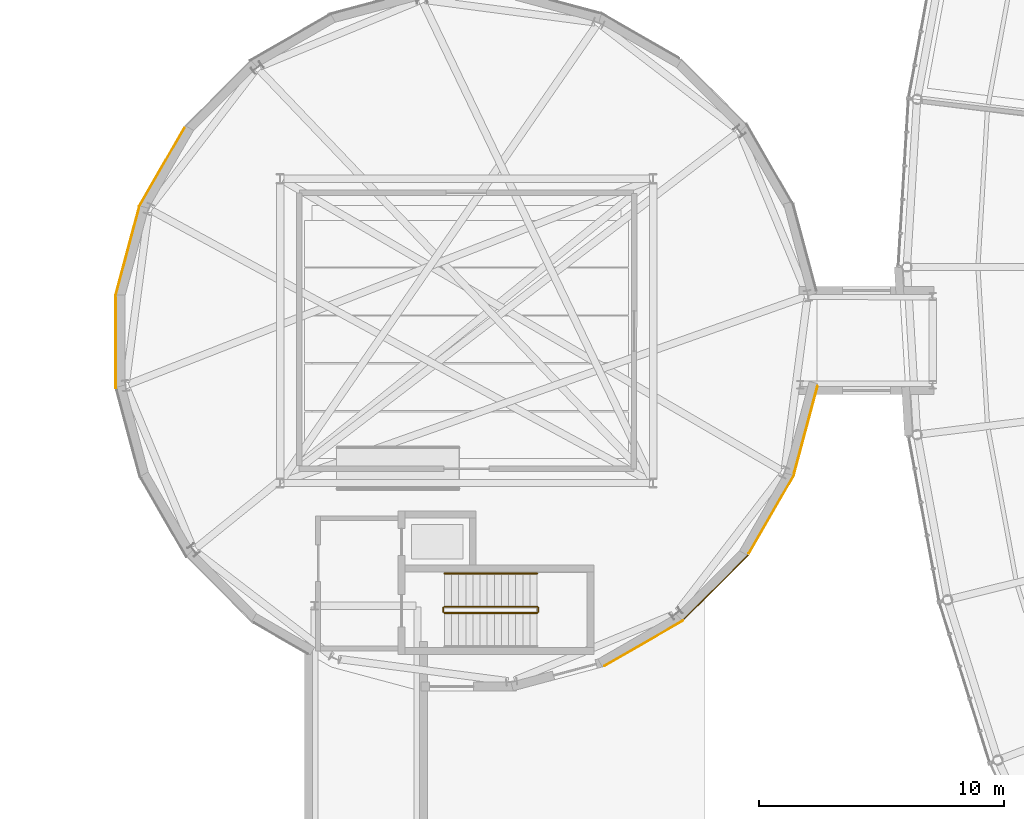
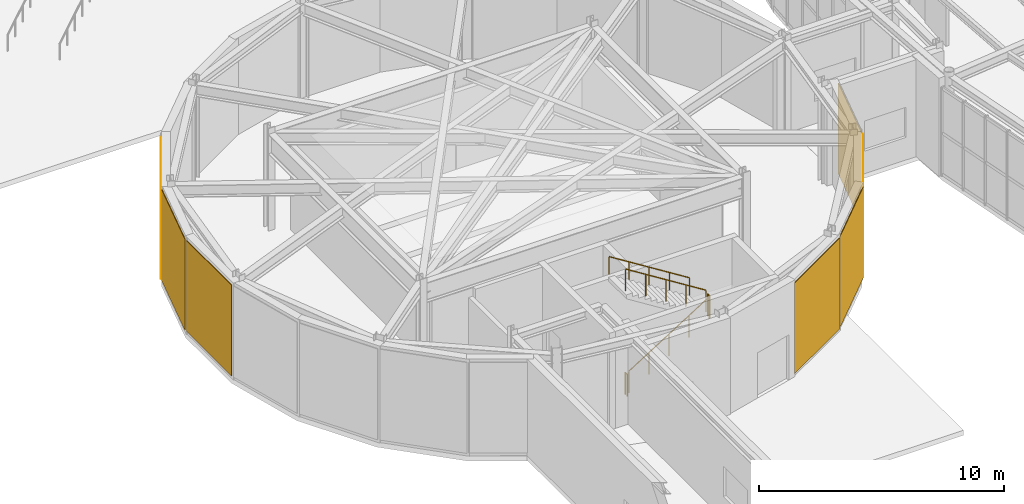
# One storey, part 84 of 97: 7 coverings, 5 railings.
"""IFC4 building model written with IfcOpenShell, lengths in metres."""

import ifcopenshell
import ifcopenshell.guid

model = None  # the IFC model being written
_history = None  # IfcOwnerHistory: only IFC2X3 demands one
_inside = {}  # id of a spatial element -> (the spatial element, [elements in it])
_under = {}  # id of a project, library or spatial element -> (it, [spatial elements below it])
_declared = {}  # id of a project -> (the project, [libraries it declares])
_typed = {}  # id of a type object -> (the type object, [elements of that type])
_made_of = {}  # id of a material, layer set ... -> (it, [elements and type objects made of it])


def new_model(schema):
    """Start an empty IFC model of exactly this schema.

    Asked for "IFC4X3", IfcOpenShell would pick the latest addendum, in which some entities
    have other attributes; the version numbers below select the first issue.
    IFC2X3 requires an IfcOwnerHistory on every rooted entity: one is made here for all.
    """
    global model, _history
    if schema == "IFC4X3":
        model = ifcopenshell.file(schema_version=(4, 3, 0, 0))
    else:
        model = ifcopenshell.file(schema=schema)
    _inside.clear()
    _under.clear()
    _declared.clear()
    _typed.clear()
    _made_of.clear()
    _history = None
    if model.schema == "IFC2X3":
        org = make("IfcOrganization", Name="unknown")
        user = make(
            "IfcPersonAndOrganization",
            ThePerson=make("IfcPerson", FamilyName="unknown"),
            TheOrganization=org,
        )
        app = make(
            "IfcApplication",
            ApplicationDeveloper=org,
            Version="unknown",
            ApplicationFullName="unknown",
            ApplicationIdentifier="unknown",
        )
        _history = make(
            "IfcOwnerHistory",
            OwningUser=user,
            OwningApplication=app,
            ChangeAction="ADDED",
            CreationDate=0,
        )
    return model


def make(cls, **values):
    """One entity of the class cls with the attributes given. An attribute that is None is left unset."""
    return model.create_entity(
        cls, **{name: value for name, value in values.items() if value is not None}
    )


def rooted(cls, **values):
    """An entity with a GlobalId (a new one), such as an element, a storey or a relation."""
    return make(cls, GlobalId=ifcopenshell.guid.new(), OwnerHistory=_history, **values)


def si_unit(unit_type, name, prefix=None):
    """IfcSIUnit, for example si_unit("LENGTHUNIT", "METRE", prefix="MILLI")."""
    return make("IfcSIUnit", UnitType=unit_type, Prefix=prefix, Name=name)


def assignment(units):
    """IfcUnitAssignment: the units of a project."""
    return None if units is None else make("IfcUnitAssignment", Units=units)


def point(xyz):
    """IfcCartesianPoint."""
    return None if xyz is None else make("IfcCartesianPoint", Coordinates=xyz)


def direction(xyz):
    """IfcDirection."""
    return None if xyz is None else make("IfcDirection", DirectionRatios=xyz)


def frame(location, z_axis=None, x_axis=None):
    """IfcAxis2Placement3D, a coordinate frame: its origin and axes. An axis left out is left unset."""
    return make(
        "IfcAxis2Placement3D",
        Location=point(location),
        Axis=direction(z_axis),
        RefDirection=direction(x_axis),
    )


def frame_2d(location, x_axis=None):
    """IfcAxis2Placement2D, a coordinate frame in the plane: its origin and x axis."""
    return make(
        "IfcAxis2Placement2D", Location=point(location), RefDirection=direction(x_axis)
    )


def origin():
    """The frame at (0, 0, 0) with its axes left unset."""
    return frame((0.0, 0.0, 0.0))


def origin_2d():
    """The frame at (0, 0) in the plane with its x axis left unset."""
    return frame_2d((0.0, 0.0))


def place(relative_to, where):
    """IfcLocalPlacement: puts the frame where relative to a parent placement (None: the world)."""
    return make(
        "IfcLocalPlacement", PlacementRelTo=relative_to, RelativePlacement=where
    )


def context(
    kind, dimensions, precision=None, world=None, true_north=None, identifier=None
):
    """IfcGeometricRepresentationContext, for example the 3D "Model" context."""
    return make(
        "IfcGeometricRepresentationContext",
        ContextIdentifier=identifier,
        ContextType=kind,
        CoordinateSpaceDimension=dimensions,
        Precision=precision,
        WorldCoordinateSystem=world,
        TrueNorth=true_north,
    )


def subcontext(parent, identifier, kind, view, scale=None):
    """IfcGeometricRepresentationSubContext, for example "Body" below "Model"."""
    return make(
        "IfcGeometricRepresentationSubContext",
        ContextIdentifier=identifier,
        ContextType=kind,
        ParentContext=parent,
        TargetScale=scale,
        TargetView=view,
    )


def project(units=None, contexts=None):
    """IfcProject with its units and contexts."""
    return rooted(
        "IfcProject",
        Name="project",
        RepresentationContexts=contexts,
        UnitsInContext=assignment(units),
    )


def spatial(cls, under=None, at=None, **own):
    """A site, building, storey or space (cls), placed at a placement, below another one or the project."""
    s = rooted(cls, ObjectPlacement=at, **own)
    if under is not None:
        _under.setdefault(under.id(), (under, []))[1].append(s)
    return s


def profile(cls, at=None, kind="AREA", **sizes):
    """A parametric profile (cls). Its sizes go by their IFC names, for example OverallWidth=200.0."""
    return make(cls, ProfileType=kind, Position=at, **sizes)


def rectangle(**sizes):
    """IfcRectangleProfileDef."""
    return profile("IfcRectangleProfileDef", **sizes)


def circle(**sizes):
    """IfcCircleProfileDef."""
    return profile("IfcCircleProfileDef", **sizes)


def extrude(swept, where, along, depth):
    """IfcExtrudedAreaSolid: the profile swept, set in the frame where, extruded along a direction by depth."""
    return make(
        "IfcExtrudedAreaSolid",
        SweptArea=swept,
        Position=where,
        ExtrudedDirection=direction(along),
        Depth=depth,
    )


def shape(context_of_items, identifier, shape_type, items):
    """IfcShapeRepresentation: the items that make up one representation, for example the "Body"."""
    return make(
        "IfcShapeRepresentation",
        ContextOfItems=context_of_items,
        RepresentationIdentifier=identifier,
        RepresentationType=shape_type,
        Items=items,
    )


def material(Name=None, Category=None):
    """IfcMaterial."""
    return make("IfcMaterial", Name=Name, Category=Category)


def layer(
    of_material, thickness, ventilated=None, Name=None, Category=None, Priority=None
):
    """IfcMaterialLayer: one layer of a wall or slab, of a material (None: an air gap)."""
    return make(
        "IfcMaterialLayer",
        Material=of_material,
        LayerThickness=thickness,
        IsVentilated=ventilated,
        Name=Name,
        Category=Category,
        Priority=Priority,
    )


def layer_set(layers, Name=None):
    """IfcMaterialLayerSet."""
    return make("IfcMaterialLayerSet", MaterialLayers=layers, LayerSetName=Name)


def made_of(thing, what):
    """Note that an element or type object is made of a material, layer set ...; save() writes the relation."""
    if what is not None:
        _made_of.setdefault(what.id(), (what, []))[1].append(thing)
    return thing


def type_object(cls, material=None, **own):
    """A type object (cls), such as IfcWallType, which elements share."""
    return made_of(rooted(cls, **own), material)


def element(
    cls,
    number,
    at=None,
    inside=None,
    cuts=None,
    type_object=None,
    material=None,
    context=None,
    identifier="Body",
    shape_type=None,
    held_by="IfcProductDefinitionShape",
    body=None,
    shapes=None,
    **own,
):
    """One element of the class cls, such as IfcWall. Its Tag is "e" and its number.

    at: its placement. inside: the storey or other place that contains it. cuts: it is an
    opening in that element (IfcRelVoidsElement). A single representation is given by context,
    identifier, shape_type and body (its items); several are given by shapes. held_by: the class
    of the entity that holds the representations. save() writes the other relations.
    """
    e = rooted(cls, Tag="e%d" % number, ObjectPlacement=at, **own)
    if body is not None:
        shapes = [shape(context, identifier, shape_type, body)]
    if shapes is not None:
        e.Representation = make(held_by, Representations=shapes)
    if inside is not None:
        _inside.setdefault(inside.id(), (inside, []))[1].append(e)
    if cuts is not None:
        rooted(
            "IfcRelVoidsElement", RelatingBuildingElement=cuts, RelatedOpeningElement=e
        )
    if type_object is not None:
        _typed.setdefault(type_object.id(), (type_object, []))[1].append(e)
    return made_of(e, material)


def aggregate(whole, parts):
    """IfcRelAggregates: a whole, such as a stair, and the parts it consists of."""
    return rooted("IfcRelAggregates", RelatingObject=whole, RelatedObjects=parts)


def save(model, path):
    """Write the relations noted so far, then the file.

    IfcRelAggregates (storeys below a building ...), IfcRelContainedInSpatialStructure (elements
    in a storey), IfcRelDefinesByType, IfcRelAssociatesMaterial and IfcRelDeclares: one each for
    every whole, place, type object, material and project.
    """
    for whole, parts in _under.values():
        aggregate(whole, parts)
    for where, things in _inside.values():
        rooted(
            "IfcRelContainedInSpatialStructure",
            RelatedElements=things,
            RelatingStructure=where,
        )
    for kind, things in _typed.values():
        rooted("IfcRelDefinesByType", RelatedObjects=things, RelatingType=kind)
    for what, things in _made_of.values():
        rooted("IfcRelAssociatesMaterial", RelatedObjects=things, RelatingMaterial=what)
    for by, libraries in _declared.values():
        rooted("IfcRelDeclares", RelatingContext=by, RelatedDefinitions=libraries)
    model.write(path)


model = new_model("IFC4")

# Units and contexts
model_context = context("Model", 3, precision=1e-05, world=origin(), true_north=direction((0.0, 1.0)))
body_context = subcontext(model_context, "Body", "Model", "MODEL_VIEW")
ifc_project = project(units=[si_unit("LENGTHUNIT", "METRE"), si_unit("AREAUNIT", "SQUARE_METRE"), si_unit("VOLUMEUNIT", "CUBIC_METRE"), si_unit("PLANEANGLEUNIT", "RADIAN"), si_unit("MASSUNIT", "GRAM", prefix="KILO")], contexts=[model_context])

# Site, building, storey
site_placement = place(None, origin())
site = spatial("IfcSite", under=ifc_project, at=site_placement, CompositionType="ELEMENT")
building_placement = place(site_placement, origin())
building = spatial("IfcBuilding", under=site, at=building_placement, Name="Varnklinge Art Gallery", CompositionType="ELEMENT")
storey_placement = place(building_placement, origin())
storey = spatial("IfcBuildingStorey", under=building, at=storey_placement, Name="L00", CompositionType="ELEMENT", Elevation=0.0)

# Coverings
ifc_material_1 = material(Name="Oxide Terracotta Panel", Category="masonry")
ifc_layer = layer(ifc_material_1, 0.034912109375)
ifc_layer_set = layer_set([ifc_layer], Name="Oxide Terracotta Panel")
covering_type = type_object("IfcCoveringType", Name="CLD-TER", PredefinedType="CLADDING", material=ifc_layer_set)
covering_1_placement = place(storey_placement, frame((35.627197265625, 48.375244140625, 0.14990234375), z_axis=(0.0, 0.0, 1.0), x_axis=(-0.258819045103, -0.965925826289, 0.0)))
element("IfcCovering", 1, at=covering_1_placement, inside=storey, type_object=covering_type, Name="L00 Oxide Terracotta Drum Cladding EW-V3-L00-01", PredefinedType="CLADDING", context=body_context, shape_type="SweptSolid", body=[
    extrude(rectangle(XDim=3.666748046875, YDim=0.034912109375, at=origin_2d()), origin(), (0.0, 0.0, 1.0), 4.52001953125),
])
covering_2_placement = place(storey_placement, frame((34.224365234375, 44.930908203125, 0.14990234375), z_axis=(0.0, 0.0, 1.0), x_axis=(-0.5, -0.866025403784, 0.0)))
element("IfcCovering", 2, at=covering_2_placement, inside=storey, type_object=covering_type, Name="L00 Oxide Terracotta Drum Cladding EW-V3-L00-02", PredefinedType="CLADDING", context=body_context, shape_type="SweptSolid", body=[
    extrude(rectangle(XDim=3.69189453125, YDim=0.034912109375, at=origin_2d()), origin(), (0.0, 0.0, 1.0), 4.52001953125),
])
covering_3_placement = place(storey_placement, frame((31.97119140625, 41.9560546875, 0.14990234375), z_axis=(0.0, 0.0, 1.0), x_axis=(-0.707106781187, -0.707106781187, 0.0)))
element("IfcCovering", 3, at=covering_3_placement, inside=storey, type_object=covering_type, Name="L00 Oxide Terracotta Drum Cladding EW-V3-L00-03", PredefinedType="CLADDING", context=body_context, shape_type="SweptSolid", body=[
    extrude(rectangle(XDim=3.691650390625, YDim=0.034912109375, at=origin_2d()), origin(), (0.0, 0.0, 1.0), 4.52001953125),
])
for number, where, z_axis, x_axis, name in (
    (4, (29.025146484375, 39.665771484375, 0.14990234375), (0.0, 0.0, 1.0), (-0.866025403784, -0.5, 0.0), "L00 Oxide Terracotta Drum Cladding EW-V3-L00-04"),
    (5, (7.505615234375, 51.909912109375, 0.14990234375), (0.0, 0.0, 1.0), (0.0, 1.0, 0.0), "L00 Oxide Terracotta Drum Cladding EW-V3-L00-11"),
):
    element("IfcCovering", number, at=place(storey_placement, frame(where, z_axis=z_axis, x_axis=x_axis)), inside=storey, type_object=covering_type, Name=name, PredefinedType="CLADDING", context=body_context, shape_type="SweptSolid", body=[
        extrude(rectangle(XDim=3.69189453125, YDim=0.034912109375, at=origin_2d()), origin(), (0.0, 0.0, 1.0), 4.52001953125),
    ])
covering_4_placement = place(storey_placement, frame((7.969482421875, 55.61279296875, 0.14990234375), z_axis=(0.0, 0.0, 1.0), x_axis=(0.258819045103, 0.965925826289, 0.0)))
element("IfcCovering", 6, at=covering_4_placement, inside=storey, type_object=covering_type, Name="L00 Oxide Terracotta Drum Cladding EW-V3-L00-12", PredefinedType="CLADDING", context=body_context, shape_type="SweptSolid", body=[
    extrude(rectangle(XDim=3.691650390625, YDim=0.034912109375, at=origin_2d()), origin(), (0.0, 0.0, 1.0), 4.52001953125),
])
covering_5_placement = place(storey_placement, frame((9.375732421875, 59.069091796875, 0.14990234375), z_axis=(0.0, 0.0, 1.0), x_axis=(0.5, 0.866025403784, 0.0)))
element("IfcCovering", 7, at=covering_5_placement, inside=storey, type_object=covering_type, Name="L00 Oxide Terracotta Drum Cladding EW-V3-L00-13", PredefinedType="CLADDING", context=body_context, shape_type="SweptSolid", body=[
    extrude(rectangle(XDim=3.69189453125, YDim=0.034912109375, at=origin_2d()), origin(), (0.0, 0.0, 1.0), 4.52001953125),
])

# Railings
ifc_material_2 = material(Name="Steel S355", Category="steel")
railing_type_1 = type_object("IfcRailingType", Name="GR-INT", PredefinedType="GUARDRAIL", material=ifc_material_2)
railing_1_placement = place(storey_placement, frame((20.89990234375, 40.89990234375, 0.18212890625)))
element("IfcRailing", 8, at=railing_1_placement, inside=storey, type_object=railing_type_1, Name="L00 ST-06 stair guard 1", PredefinedType="GUARDRAIL", context=body_context, shape_type="SweptSolid", body=[
    extrude(circle(Radius=0.02392578125, at=origin_2d()), frame((0.0, 0.0, 1.076171875), z_axis=(0.846819337722, 0.0, 0.53188063441), x_axis=(0.0, 1.0, 0.0)), (0.0, 0.0, 1.0), 4.451904296875),
    extrude(circle(Radius=0.02099609375, at=origin_2d()), origin(), (0.0, 0.0, 1.0), 1.052001953125),
    extrude(circle(Radius=0.02099609375, at=origin_2d()), frame((0.9423828125, 0.0, 0.592041015625)), (0.0, 0.0, 1.0), 1.052001953125),
    extrude(circle(Radius=0.02099609375, at=origin_2d()), frame((1.885009765625, 0.0, 1.18408203125)), (0.0, 0.0, 1.0), 1.052001953125),
    extrude(circle(Radius=0.02099609375, at=origin_2d()), frame((2.82763671875, 0.0, 1.77587890625)), (0.0, 0.0, 1.0), 1.052001953125),
    extrude(circle(Radius=0.02099609375, at=origin_2d()), frame((3.77001953125, 0.0, 2.367919921875)), (0.0, 0.0, 1.0), 1.052001953125),
])
railing_2_placement = place(storey_placement, frame((24.719970703125, 40.949951171875, 2.550048828125)))
element("IfcRailing", 9, at=railing_2_placement, inside=storey, type_object=railing_type_1, Name="L00 ST-06 stair guard 2", PredefinedType="GUARDRAIL", context=body_context, shape_type="SweptSolid", body=[
    extrude(circle(Radius=0.02392578125, at=origin_2d()), frame((0.0, 0.0, 1.076171875), z_axis=(0.0, 1.0, 0.0), x_axis=(-1.0, 0.0, 0.0)), (0.0, 0.0, 1.0), 0.16015625),
    extrude(circle(Radius=0.02099609375, at=origin_2d()), origin(), (0.0, 0.0, 1.0), 1.052001953125),
    extrude(circle(Radius=0.02099609375, at=origin_2d()), frame((0.0, 0.16015625, 0.0)), (0.0, 0.0, 1.0), 1.052001953125),
])
railing_3_placement = place(storey_placement, frame((24.669921875, 41.159912109375, 2.732177734375)))
element("IfcRailing", 10, at=railing_3_placement, inside=storey, type_object=railing_type_1, Name="L00 ST-06 stair guard 3", PredefinedType="GUARDRAIL", context=body_context, shape_type="SweptSolid", body=[
    extrude(circle(Radius=0.02392578125, at=origin_2d()), frame((0.0, 0.0, 1.076171875), z_axis=(-0.846819337722, 0.0, 0.53188063441), x_axis=(0.0, -1.0, 0.0)), (0.0, 0.0, 1.0), 4.451904296875),
    extrude(circle(Radius=0.02099609375, at=origin_2d()), origin(), (0.0, 0.0, 1.0), 1.052001953125),
    extrude(circle(Radius=0.02099609375, at=origin_2d()), frame((-0.9423828125, 0.0, 0.592041015625)), (0.0, 0.0, 1.0), 1.052001953125),
    extrude(circle(Radius=0.02099609375, at=origin_2d()), frame((-1.885009765625, 0.0, 1.18408203125)), (0.0, 0.0, 1.0), 1.052001953125),
    extrude(circle(Radius=0.02099609375, at=origin_2d()), frame((-2.82763671875, 0.0, 1.77587890625)), (0.0, 0.0, 1.0), 1.052001953125),
    extrude(circle(Radius=0.02099609375, at=origin_2d()), frame((-3.77001953125, 0.0, 2.367919921875)), (0.0, 0.0, 1.0), 1.052001953125),
])
railing_4_placement = place(storey_placement, frame((20.85009765625, 40.949951171875, 0.0)))
element("IfcRailing", 11, at=railing_4_placement, inside=storey, type_object=railing_type_1, Name="L00 ST-06 stair guard 4", PredefinedType="GUARDRAIL", context=body_context, shape_type="SweptSolid", body=[
    extrude(circle(Radius=0.02392578125, at=origin_2d()), frame((0.0, 0.0, 1.076171875), z_axis=(0.0, 1.0, 0.0), x_axis=(-1.0, 0.0, 0.0)), (0.0, 0.0, 1.0), 0.16015625),
    extrude(circle(Radius=0.02099609375, at=origin_2d()), origin(), (0.0, 0.0, 1.0), 1.052001953125),
    extrude(circle(Radius=0.02099609375, at=origin_2d()), frame((0.0, 0.16015625, 0.0)), (0.0, 0.0, 1.0), 1.052001953125),
])
ifc_material_3 = material(Name="Steel S355", Category="steel")
railing_type_2 = type_object("IfcRailingType", Name="HR-01", PredefinedType="HANDRAIL", material=ifc_material_3)
railing_5_placement = place(storey_placement, frame((24.669921875, 42.510009765625, 2.732177734375)))
element("IfcRailing", 12, at=railing_5_placement, inside=storey, type_object=railing_type_2, Name="L00 ST-06 stair handrail 2", PredefinedType="HANDRAIL", context=body_context, shape_type="SweptSolid", body=[
    extrude(circle(Radius=0.02392578125, at=origin_2d()), frame((0.0, 0.0, 0.8759765625), z_axis=(-0.846819337722, 0.0, 0.53188063441), x_axis=(0.0, -1.0, 0.0)), (0.0, 0.0, 1.0), 4.451904296875),
    extrude(circle(Radius=0.02099609375, at=origin_2d()), origin(), (0.0, 0.0, 1.0), 0.851806640625),
    extrude(circle(Radius=0.02099609375, at=origin_2d()), frame((-0.9423828125, 0.0, 0.592041015625)), (0.0, 0.0, 1.0), 0.851806640625),
    extrude(circle(Radius=0.02099609375, at=origin_2d()), frame((-1.885009765625, 0.0, 1.18408203125)), (0.0, 0.0, 1.0), 0.851806640625),
    extrude(circle(Radius=0.02099609375, at=origin_2d()), frame((-2.82763671875, 0.0, 1.77587890625)), (0.0, 0.0, 1.0), 0.851806640625),
    extrude(circle(Radius=0.02099609375, at=origin_2d()), frame((-3.77001953125, 0.0, 2.367919921875)), (0.0, 0.0, 1.0), 0.851806640625),
])

save(model, "model.ifc")
